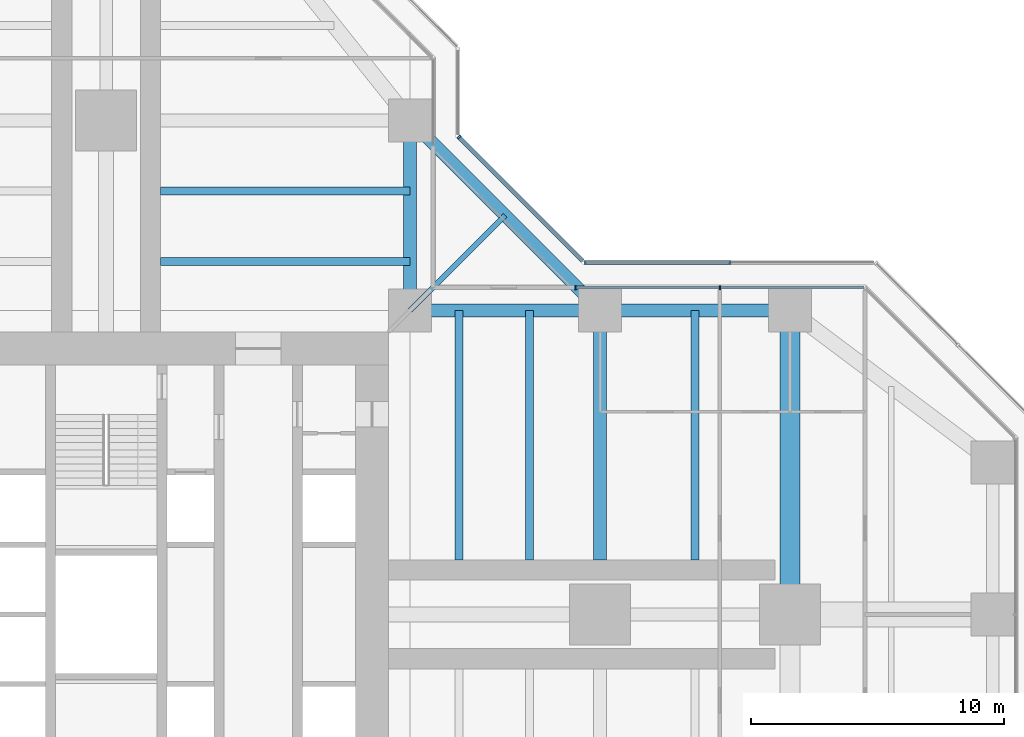
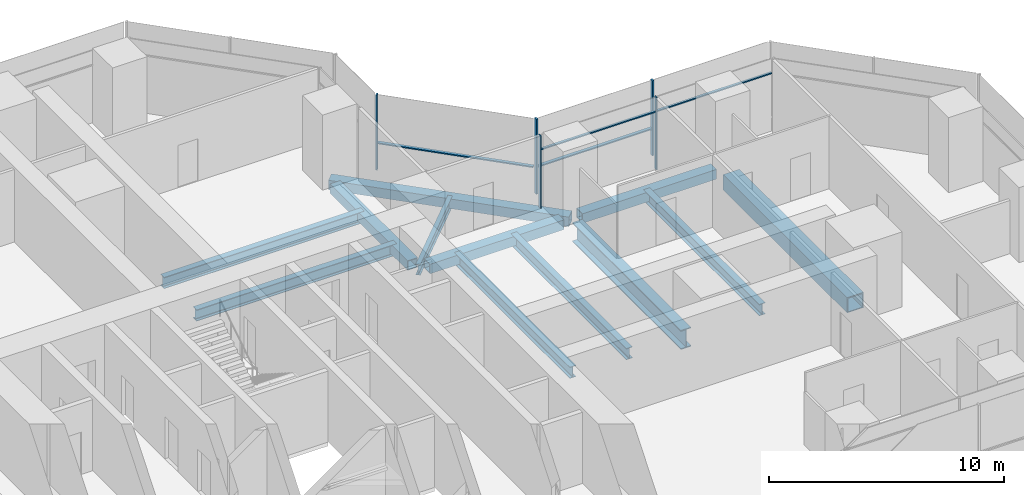
# One storey, part 9 of 20: 12 beams, 9 members, 3 elements without a shape of their own.
"""IFC4 building model written with IfcOpenShell, lengths in metres."""

from ifc_helpers import new_model, si_unit, direction, frame, origin, origin_2d, place, context, subcontext, project, spatial, rectangle, hollow_rectangle, i_section, extrude, material, material_profile, profile_set, type_object, element, aggregate, save


model = new_model("IFC4")

# Units and contexts
model_context = context("Model", 3, precision=1e-05, world=origin(), true_north=direction((0.0, 1.0)))
body_context = subcontext(model_context, "Body", "Model", "MODEL_VIEW")
ifc_project = project(units=[si_unit("LENGTHUNIT", "METRE"), si_unit("AREAUNIT", "SQUARE_METRE"), si_unit("VOLUMEUNIT", "CUBIC_METRE"), si_unit("PLANEANGLEUNIT", "RADIAN"), si_unit("MASSUNIT", "GRAM", prefix="KILO")], contexts=[model_context])

# Site, building, storey
site_placement = place(None, origin())
site = spatial("IfcSite", under=ifc_project, at=site_placement, CompositionType="ELEMENT")
building_placement = place(site_placement, origin())
building = spatial("IfcBuilding", under=site, at=building_placement, Name="Mizan Broadcast Tower", CompositionType="ELEMENT")
storey_placement = place(building_placement, frame((0.0, 0.0, 135.89990234375)))
storey = spatial("IfcBuildingStorey", under=building, at=storey_placement, Name="L30", CompositionType="ELEMENT", Elevation=135.89990234375)

# Beams
ifc_material_1 = material(Name="Steel S355", Category="steel")
ifc_material_profile_1 = material_profile(ifc_material_1, hollow_rectangle(XDim=0.5, YDim=0.5, WallThickness=0.030029296875, at=origin_2d()), Name="BOX 500x500x30")
ifc_profile_set_1 = profile_set([ifc_material_profile_1], Name="Steel S355")
beam_type_1 = type_object("IfcBeamType", Name="EDGE BEAM BOX 500x500x30", PredefinedType="SPANDREL", material=ifc_profile_set_1)
for number, where, z_axis, x_axis, name in (
    (1, (12.449951171875, 12.0, -0.3798828125), (1.0, 0.0, 0.0), (0.0, 1.0, 0.0), "Edge beam BOX 500x500x30 L30 east arm"),
    (2, (19.949951171875, 12.0, -0.3798828125), (1.0, 0.0, 0.0), (0.0, 1.0, 0.0), "Edge beam BOX 500x500x30 L30 east arm"),
    (3, (12.0, 12.449951171875, -0.3798828125), (0.0, 1.0, 0.0), (-1.0, 0.0, 0.0), "Edge beam BOX 500x500x30 L30 north arm"),
):
    element("IfcBeam", number, at=place(storey_placement, frame(where, z_axis=z_axis, x_axis=x_axis)), inside=storey, type_object=beam_type_1, Name=name, PredefinedType="SPANDREL", context=body_context, shape_type="SweptSolid", body=[
        extrude(hollow_rectangle(XDim=0.5, YDim=0.5, WallThickness=0.030029296875, at=origin_2d()), origin(), (0.0, 0.0, 1.0), 6.60009765625),
    ])
beam_1_placement = place(storey_placement, frame((19.5, 12.0, -0.3798828125), z_axis=(-0.707106781187, 0.707106781187, 0.0), x_axis=(-0.707106781187, -0.707106781187, 0.0)))
element("IfcBeam", 4, at=beam_1_placement, inside=storey, type_object=beam_type_1, Name="Winter garden edge beam L30 E", PredefinedType="SPANDREL", context=body_context, shape_type="SweptSolid", body=[
    extrude(hollow_rectangle(XDim=0.5, YDim=0.5, WallThickness=0.030029296875, at=origin_2d()), origin(), (0.0, 0.0, 1.0), 10.606689453125),
])
ifc_material_2 = material(Name="Steel S460", Category="steel")
ifc_material_profile_2 = material_profile(ifc_material_2, hollow_rectangle(XDim=0.800048828125, YDim=0.800048828125, WallThickness=0.050048828125, at=origin_2d()), Name="BOX 800x800x50")
ifc_profile_set_2 = profile_set([ifc_material_profile_2], Name="Steel S460")
beam_type_2 = type_object("IfcBeamType", Name="GIRDER BOX 800x800x50", PredefinedType="BEAM", material=ifc_profile_set_2)
beam_2_placement = place(storey_placement, frame((27.0, 11.280029296875, -0.52978515625), z_axis=(0.0, -1.0, 0.0), x_axis=(1.0, 0.0, 0.0)))
element("IfcBeam", 5, at=beam_2_placement, inside=storey, type_object=beam_type_2, Name="Girder BOX 800x800x50 L30 east arm", PredefinedType="BEAM", context=body_context, shape_type="SweptSolid", body=[
    extrude(hollow_rectangle(XDim=0.800048828125, YDim=0.800048828125, WallThickness=0.050048828125, at=origin_2d()), origin(), (0.0, 0.0, 1.0), 10.56005859375),
])
ifc_material_3 = material(Name="Steel S460", Category="steel")
ifc_material_profile_3 = material_profile(ifc_material_3, i_section(OverallWidth=0.5, OverallDepth=1.0, WebThickness=0.02490234375, FlangeThickness=0.050048828125, at=origin_2d()), Name="WPG 1000x500")
ifc_profile_set_3 = profile_set([ifc_material_profile_3], Name="Steel S460")
beam_type_3 = type_object("IfcBeamType", Name="GIRDER WPG 1000x500", PredefinedType="BEAM", material=ifc_profile_set_3)
beam_3_placement = place(storey_placement, frame((19.5, 11.408935546875, -0.6298828125), z_axis=(0.0, -1.0, 0.0), x_axis=(1.0, 0.0, 0.0)))
element("IfcBeam", 6, at=beam_3_placement, inside=storey, type_object=beam_type_3, Name="Girder WPG 1000x500 L30 east arm", PredefinedType="BEAM", context=body_context, shape_type="SweptSolid", body=[
    extrude(i_section(OverallWidth=0.5, OverallDepth=1.0, WebThickness=0.02490234375, FlangeThickness=0.050048828125, at=origin_2d()), origin(), (0.0, 0.0, 1.0), 9.259033203125),
])

# Curtain wall, members
ifc_material_4 = material(Name="Aluminium framed glazing", Category="aluminium")
curtain_wall_type_1 = type_object("IfcCurtainWallType", Name="INNER SKIN MID ZONE", PredefinedType="USERDEFINED", material=ifc_material_4)
curtain_wall_1_placement = place(storey_placement, origin())
curtain_wall_1 = element("IfcCurtainWall", 7, at=curtain_wall_1_placement, inside=storey, type_object=curtain_wall_type_1, Name="Inner skin mid zone L30 E side", ObjectType="INNER SKIN MID ZONE", PredefinedType="USERDEFINED")
ifc_material_5 = material(Name="Aluminium, pale anodised", Category="aluminium")
ifc_material_profile_4 = material_profile(ifc_material_5, rectangle(XDim=0.159912109375, YDim=0.06005859375, at=origin_2d()), Name="MULLION 160x60")
ifc_profile_set_4 = profile_set([ifc_material_profile_4], Name="Aluminium, pale anodised")
member_type_1 = type_object("IfcMemberType", Name="INNER SKIN MULLION 60x160", PredefinedType="MULLION", material=ifc_profile_set_4)
member_1_placement = place(storey_placement, frame((24.229248046875, 12.89990234375, 0.0), z_axis=(0.0, 0.0, 1.0), x_axis=(0.0, -1.0, 0.0)))
member_1 = element("IfcMember", 8, at=member_1_placement, type_object=member_type_1, Name="Inner skin mid zone L30 E side mullion 2", PredefinedType="MULLION", context=body_context, shape_type="SweptSolid", body=[
    extrude(rectangle(XDim=0.159912109375, YDim=0.06005859375, at=origin_2d()), origin(), (0.0, 0.0, 1.0), 3.77001953125),
])
member_2_placement = place(storey_placement, frame((18.530029296875, 12.89990234375, 0.0), z_axis=(0.0, 0.0, 1.0), x_axis=(0.0, -1.0, 0.0)))
member_2 = element("IfcMember", 9, at=member_2_placement, type_object=member_type_1, Name="Inner skin mid zone L30 E side mullion 3", PredefinedType="MULLION", context=body_context, shape_type="SweptSolid", body=[
    extrude(rectangle(XDim=0.159912109375, YDim=0.06005859375, at=origin_2d()), origin(), (0.0, 0.0, 1.0), 3.77001953125),
])
ifc_material_6 = material(Name="Aluminium, pale anodised", Category="aluminium")
ifc_material_profile_5 = material_profile(ifc_material_6, rectangle(XDim=0.1201171875, YDim=0.06005859375, at=origin_2d()), Name="TRANSOM 120x60")
ifc_profile_set_5 = profile_set([ifc_material_profile_5], Name="Aluminium, pale anodised")
member_type_2 = type_object("IfcMemberType", Name="INNER SKIN TRANSOM 60x120", PredefinedType="USERDEFINED", material=ifc_profile_set_5)
member_3_placement = place(storey_placement, frame((29.898681640625, 12.89990234375, 3.030029296875), z_axis=(-1.0, 0.0, 0.0), x_axis=(0.0, -1.0, 0.0)))
member_3 = element("IfcMember", 10, at=member_3_placement, type_object=member_type_2, Name="Inner skin mid zone L30 E side transom 1.1", ObjectType="TRANSOM", PredefinedType="USERDEFINED", context=body_context, shape_type="SweptSolid", body=[
    extrude(rectangle(XDim=0.1201171875, YDim=0.06005859375, at=origin_2d()), origin(), (0.0, 0.0, 1.0), 5.639404296875),
])
member_4_placement = place(storey_placement, frame((24.19921875, 12.89990234375, 3.030029296875), z_axis=(-1.0, 0.0, 0.0), x_axis=(0.0, -1.0, 0.0)))
member_4 = element("IfcMember", 11, at=member_4_placement, type_object=member_type_2, Name="Inner skin mid zone L30 E side transom 2.1", ObjectType="TRANSOM", PredefinedType="USERDEFINED", context=body_context, shape_type="SweptSolid", body=[
    extrude(rectangle(XDim=0.1201171875, YDim=0.06005859375, at=origin_2d()), origin(), (0.0, 0.0, 1.0), 5.63916015625),
])
aggregate(curtain_wall_1, [member_1, member_2, member_3, member_4])

ifc_material_7 = material(Name="Aluminium framed glazing", Category="aluminium")
curtain_wall_type_2 = type_object("IfcCurtainWallType", Name="OUTER SKIN", PredefinedType="USERDEFINED", material=ifc_material_7)
curtain_wall_2_placement = place(storey_placement, origin())
curtain_wall_2 = element("IfcCurtainWall", 12, at=curtain_wall_2_placement, inside=storey, type_object=curtain_wall_type_2, Name="Outer skin L30 E side", ObjectType="OUTER SKIN", PredefinedType="USERDEFINED")
ifc_material_8 = material(Name="Aluminium, pale anodised", Category="aluminium")
ifc_material_profile_6 = material_profile(ifc_material_8, rectangle(XDim=0.159912109375, YDim=0.080078125, at=origin_2d()), Name="MULLION 160x80")
ifc_profile_set_6 = profile_set([ifc_material_profile_6], Name="Aluminium, pale anodised")
member_type_3 = type_object("IfcMemberType", Name="OUTER SKIN MULLION 80x160", PredefinedType="MULLION", material=ifc_profile_set_6)
member_5_placement = place(storey_placement, frame((24.622802734375, 13.89990234375, 0.0), z_axis=(0.0, 0.0, 1.0), x_axis=(0.0, -1.0, 0.0)))
member_5 = element("IfcMember", 13, at=member_5_placement, type_object=member_type_3, Name="Outer skin L30 E side mullion 2", PredefinedType="MULLION", context=body_context, shape_type="SweptSolid", body=[
    extrude(rectangle(XDim=0.159912109375, YDim=0.080078125, at=origin_2d()), origin(), (0.0, 0.0, 1.0), 3.900146484375),
])
member_6_placement = place(storey_placement, frame((18.912841796875, 13.89990234375, 0.0), z_axis=(0.0, 0.0, 1.0), x_axis=(0.0, -1.0, 0.0)))
member_6 = element("IfcMember", 14, at=member_6_placement, type_object=member_type_3, Name="Outer skin L30 E side mullion 3", PredefinedType="MULLION", context=body_context, shape_type="SweptSolid", body=[
    extrude(rectangle(XDim=0.159912109375, YDim=0.080078125, at=origin_2d()), origin(), (0.0, 0.0, 1.0), 3.900146484375),
])

# Curtain wall, member
curtain_wall_3_placement = place(storey_placement, origin())
curtain_wall_3 = element("IfcCurtainWall", 15, at=curtain_wall_3_placement, inside=storey, type_object=curtain_wall_type_2, Name="Outer skin L30 E chamfer", ObjectType="OUTER SKIN", PredefinedType="USERDEFINED")
member_7_placement = place(storey_placement, frame((13.92822265625, 18.844482421875, 0.0), z_axis=(0.0, 0.0, 1.0), x_axis=(-0.707106781187, -0.707106781187, 0.0)))
member_7 = element("IfcMember", 16, at=member_7_placement, type_object=member_type_3, Name="Outer skin L30 E chamfer mullion 2", PredefinedType="MULLION", context=body_context, shape_type="SweptSolid", body=[
    extrude(rectangle(XDim=0.159912109375, YDim=0.080078125, at=origin_2d()), origin(), (0.0, 0.0, 1.0), 3.900146484375),
])

# Member
ifc_material_9 = material(Name="Aluminium, pale anodised", Category="aluminium")
ifc_material_profile_7 = material_profile(ifc_material_9, rectangle(XDim=0.159912109375, YDim=0.06005859375, at=origin_2d()), Name="TRANSOM 160x60")
ifc_profile_set_7 = profile_set([ifc_material_profile_7], Name="Aluminium, pale anodised")
member_type_4 = type_object("IfcMemberType", Name="OUTER SKIN TRANSOM 60x160", PredefinedType="USERDEFINED", material=ifc_profile_set_7)
member_8_placement = place(storey_placement, frame((24.582763671875, 13.89990234375, 1.400146484375), z_axis=(-1.0, 0.0, 0.0), x_axis=(0.0, -1.0, 0.0)))
member_8 = element("IfcMember", 17, at=member_8_placement, type_object=member_type_4, Name="Outer skin L30 E side transom 2.1", ObjectType="TRANSOM", PredefinedType="USERDEFINED", context=body_context, shape_type="SweptSolid", body=[
    extrude(rectangle(XDim=0.159912109375, YDim=0.06005859375, at=origin_2d()), origin(), (0.0, 0.0, 1.0), 5.6298828125),
])

aggregate(curtain_wall_2, [member_5, member_6, member_8])

member_9_placement = place(storey_placement, frame((18.816162109375, 13.95654296875, 1.400146484375), z_axis=(-0.707106781187, 0.707106781187, 0.0), x_axis=(-0.707106781187, -0.707106781187, 0.0)))
member_9 = element("IfcMember", 18, at=member_9_placement, type_object=member_type_4, Name="Outer skin L30 E chamfer transom 1.1", ObjectType="TRANSOM", PredefinedType="USERDEFINED", context=body_context, shape_type="SweptSolid", body=[
    extrude(rectangle(XDim=0.159912109375, YDim=0.06005859375, at=origin_2d()), origin(), (0.0, 0.0, 1.0), 6.87255859375),
])

aggregate(curtain_wall_3, [member_7, member_9])

# Beams
ifc_material_10 = material(Name="Steel S355", Category="steel")
ifc_material_profile_8 = material_profile(ifc_material_10, i_section(OverallWidth=0.300048828125, OverallDepth=0.590087890625, WebThickness=0.012939453125, FlangeThickness=0.02490234375, FilletRadius=0.027099609375, at=origin_2d()), Name="HEA 600")
ifc_profile_set_8 = profile_set([ifc_material_profile_8], Name="Steel S355")
beam_type_4 = type_object("IfcBeamType", Name="SECONDARY BEAM HEA 600", PredefinedType="JOIST", material=ifc_profile_set_8)
for number, where, z_axis, x_axis, name in (
    (19, (13.933349609375, 12.0, -0.4248046875), (0.0, -1.0, 0.0), (1.0, 0.0, 0.0), "Secondary beam HEA 600 L30 east arm"),
    (20, (16.716552734375, 12.0, -0.4248046875), (0.0, -1.0, 0.0), (1.0, 0.0, 0.0), "Secondary beam HEA 600 L30 east arm"),
    (21, (23.25, 12.0, -0.4248046875), (0.0, -1.0, 0.0), (1.0, 0.0, 0.0), "Secondary beam HEA 600 L30 east arm"),
    (22, (12.0, 13.933349609375, -0.4248046875), (-1.0, 0.0, 0.0), (0.0, -1.0, 0.0), "Secondary beam HEA 600 L30 north arm"),
    (23, (12.0, 16.716552734375, -0.4248046875), (-1.0, 0.0, 0.0), (0.0, -1.0, 0.0), "Secondary beam HEA 600 L30 north arm"),
):
    element("IfcBeam", number, at=place(storey_placement, frame(where, z_axis=z_axis, x_axis=x_axis)), inside=storey, type_object=beam_type_4, Name=name, PredefinedType="JOIST", context=body_context, shape_type="SweptSolid", body=[
        extrude(i_section(OverallWidth=0.300048828125, OverallDepth=0.590087890625, WebThickness=0.012939453125, FlangeThickness=0.02490234375, FilletRadius=0.027099609375, at=origin_2d()), origin(), (0.0, 0.0, 1.0), 9.85009765625),
    ])
ifc_material_11 = material(Name="Steel S355", Category="steel")
ifc_material_profile_9 = material_profile(ifc_material_11, i_section(OverallWidth=0.2099609375, OverallDepth=0.550048828125, WebThickness=0.010986328125, FlangeThickness=0.01708984375, FilletRadius=0.02392578125, at=origin_2d()), Name="IPE 550")
ifc_profile_set_9 = profile_set([ifc_material_profile_9], Name="Steel S355")
beam_type_5 = type_object("IfcBeamType", Name="SECONDARY BEAM IPE 550", PredefinedType="JOIST", material=ifc_profile_set_9)
beam_4_placement = place(storey_placement, frame((12.0, 12.0, -0.40478515625), z_axis=(0.707106781187, 0.707106781187, 0.0), x_axis=(-0.707106781187, 0.707106781187, 0.0)))
element("IfcBeam", 24, at=beam_4_placement, inside=storey, type_object=beam_type_5, Name="Winter garden beam L30 E", PredefinedType="JOIST", context=body_context, shape_type="SweptSolid", body=[
    extrude(i_section(OverallWidth=0.2099609375, OverallDepth=0.550048828125, WebThickness=0.010986328125, FlangeThickness=0.01708984375, FilletRadius=0.02392578125, at=origin_2d()), origin(), (0.0, 0.0, 1.0), 5.30322265625),
])

save(model, "model.ifc")
